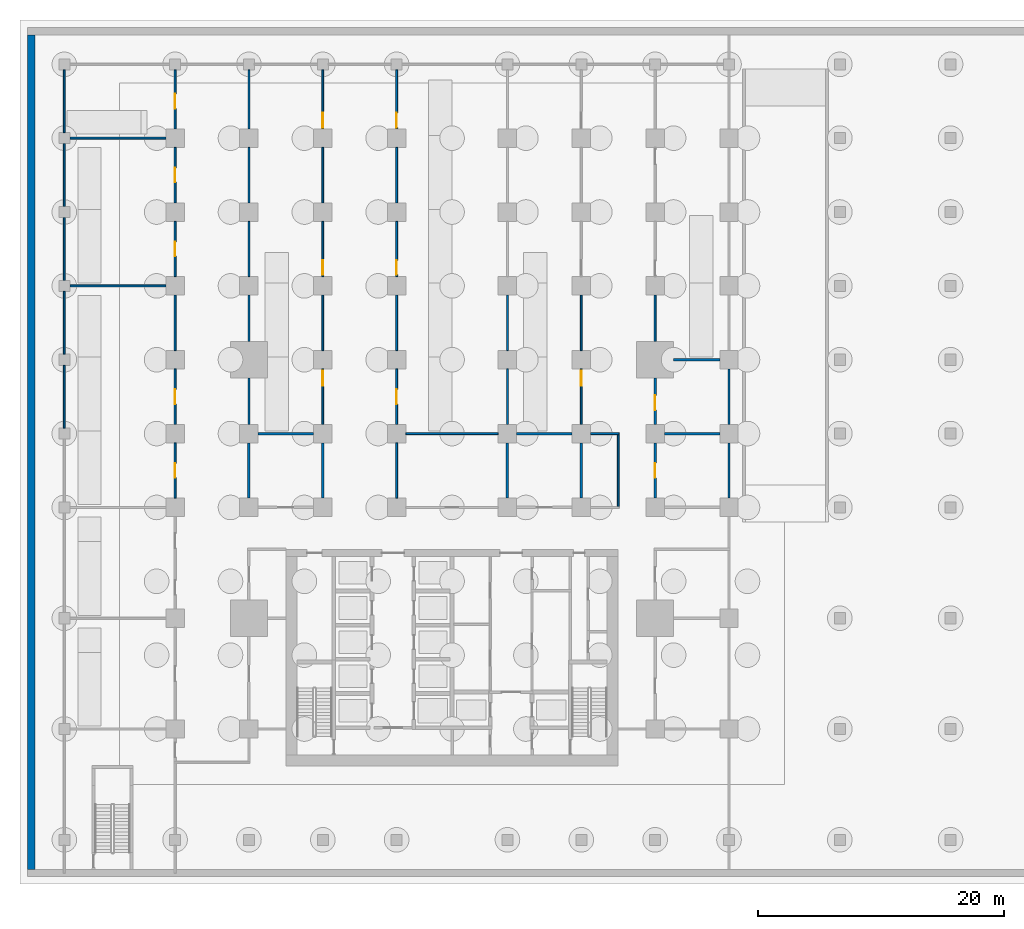
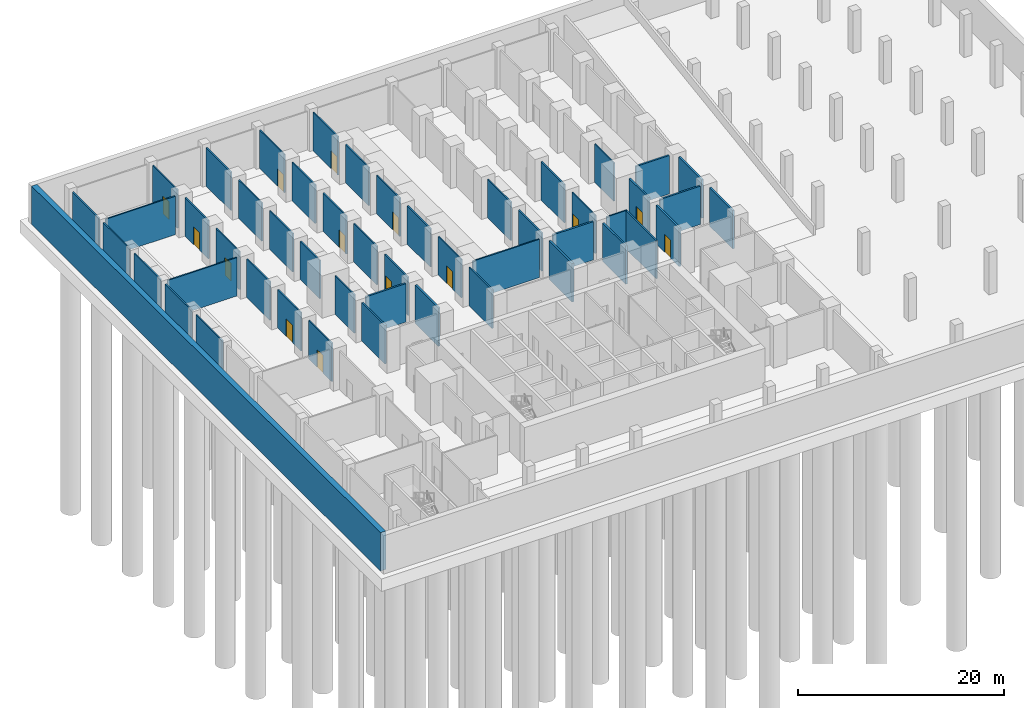
# One storey, part 8 of 12: 50 walls, 14 doors, 14 openings.
"""IFC4 building model written with IfcOpenShell, lengths in metres."""

import ifcopenshell
import ifcopenshell.guid

model = None  # the IFC model being written
_history = None  # IfcOwnerHistory: only IFC2X3 demands one
_inside = {}  # id of a spatial element -> (the spatial element, [elements in it])
_under = {}  # id of a project, library or spatial element -> (it, [spatial elements below it])
_declared = {}  # id of a project -> (the project, [libraries it declares])
_typed = {}  # id of a type object -> (the type object, [elements of that type])
_made_of = {}  # id of a material, layer set ... -> (it, [elements and type objects made of it])


def new_model(schema):
    """Start an empty IFC model of exactly this schema.

    Asked for "IFC4X3", IfcOpenShell would pick the latest addendum, in which some entities
    have other attributes; the version numbers below select the first issue.
    IFC2X3 requires an IfcOwnerHistory on every rooted entity: one is made here for all.
    """
    global model, _history
    if schema == "IFC4X3":
        model = ifcopenshell.file(schema_version=(4, 3, 0, 0))
    else:
        model = ifcopenshell.file(schema=schema)
    _inside.clear()
    _under.clear()
    _declared.clear()
    _typed.clear()
    _made_of.clear()
    _history = None
    if model.schema == "IFC2X3":
        org = make("IfcOrganization", Name="unknown")
        user = make(
            "IfcPersonAndOrganization",
            ThePerson=make("IfcPerson", FamilyName="unknown"),
            TheOrganization=org,
        )
        app = make(
            "IfcApplication",
            ApplicationDeveloper=org,
            Version="unknown",
            ApplicationFullName="unknown",
            ApplicationIdentifier="unknown",
        )
        _history = make(
            "IfcOwnerHistory",
            OwningUser=user,
            OwningApplication=app,
            ChangeAction="ADDED",
            CreationDate=0,
        )
    return model


def make(cls, **values):
    """One entity of the class cls with the attributes given. An attribute that is None is left unset."""
    return model.create_entity(
        cls, **{name: value for name, value in values.items() if value is not None}
    )


def rooted(cls, **values):
    """An entity with a GlobalId (a new one), such as an element, a storey or a relation."""
    return make(cls, GlobalId=ifcopenshell.guid.new(), OwnerHistory=_history, **values)


def si_unit(unit_type, name, prefix=None):
    """IfcSIUnit, for example si_unit("LENGTHUNIT", "METRE", prefix="MILLI")."""
    return make("IfcSIUnit", UnitType=unit_type, Prefix=prefix, Name=name)


def assignment(units):
    """IfcUnitAssignment: the units of a project."""
    return None if units is None else make("IfcUnitAssignment", Units=units)


def point(xyz):
    """IfcCartesianPoint."""
    return None if xyz is None else make("IfcCartesianPoint", Coordinates=xyz)


def direction(xyz):
    """IfcDirection."""
    return None if xyz is None else make("IfcDirection", DirectionRatios=xyz)


def frame(location, z_axis=None, x_axis=None):
    """IfcAxis2Placement3D, a coordinate frame: its origin and axes. An axis left out is left unset."""
    return make(
        "IfcAxis2Placement3D",
        Location=point(location),
        Axis=direction(z_axis),
        RefDirection=direction(x_axis),
    )


def frame_2d(location, x_axis=None):
    """IfcAxis2Placement2D, a coordinate frame in the plane: its origin and x axis."""
    return make(
        "IfcAxis2Placement2D", Location=point(location), RefDirection=direction(x_axis)
    )


def origin():
    """The frame at (0, 0, 0) with its axes left unset."""
    return frame((0.0, 0.0, 0.0))


def place(relative_to, where):
    """IfcLocalPlacement: puts the frame where relative to a parent placement (None: the world)."""
    return make(
        "IfcLocalPlacement", PlacementRelTo=relative_to, RelativePlacement=where
    )


def context(
    kind, dimensions, precision=None, world=None, true_north=None, identifier=None
):
    """IfcGeometricRepresentationContext, for example the 3D "Model" context."""
    return make(
        "IfcGeometricRepresentationContext",
        ContextIdentifier=identifier,
        ContextType=kind,
        CoordinateSpaceDimension=dimensions,
        Precision=precision,
        WorldCoordinateSystem=world,
        TrueNorth=true_north,
    )


def subcontext(parent, identifier, kind, view, scale=None):
    """IfcGeometricRepresentationSubContext, for example "Body" below "Model"."""
    return make(
        "IfcGeometricRepresentationSubContext",
        ContextIdentifier=identifier,
        ContextType=kind,
        ParentContext=parent,
        TargetScale=scale,
        TargetView=view,
    )


def project(units=None, contexts=None):
    """IfcProject with its units and contexts."""
    return rooted(
        "IfcProject",
        Name="project",
        RepresentationContexts=contexts,
        UnitsInContext=assignment(units),
    )


def spatial(cls, under=None, at=None, **own):
    """A site, building, storey or space (cls), placed at a placement, below another one or the project."""
    s = rooted(cls, ObjectPlacement=at, **own)
    if under is not None:
        _under.setdefault(under.id(), (under, []))[1].append(s)
    return s


def profile(cls, at=None, kind="AREA", **sizes):
    """A parametric profile (cls). Its sizes go by their IFC names, for example OverallWidth=200.0."""
    return make(cls, ProfileType=kind, Position=at, **sizes)


def rectangle(**sizes):
    """IfcRectangleProfileDef."""
    return profile("IfcRectangleProfileDef", **sizes)


def extrude(swept, where, along, depth):
    """IfcExtrudedAreaSolid: the profile swept, set in the frame where, extruded along a direction by depth."""
    return make(
        "IfcExtrudedAreaSolid",
        SweptArea=swept,
        Position=where,
        ExtrudedDirection=direction(along),
        Depth=depth,
    )


def shape(context_of_items, identifier, shape_type, items):
    """IfcShapeRepresentation: the items that make up one representation, for example the "Body"."""
    return make(
        "IfcShapeRepresentation",
        ContextOfItems=context_of_items,
        RepresentationIdentifier=identifier,
        RepresentationType=shape_type,
        Items=items,
    )


def material(Name=None, Category=None):
    """IfcMaterial."""
    return make("IfcMaterial", Name=Name, Category=Category)


def layer(
    of_material, thickness, ventilated=None, Name=None, Category=None, Priority=None
):
    """IfcMaterialLayer: one layer of a wall or slab, of a material (None: an air gap)."""
    return make(
        "IfcMaterialLayer",
        Material=of_material,
        LayerThickness=thickness,
        IsVentilated=ventilated,
        Name=Name,
        Category=Category,
        Priority=Priority,
    )


def layer_set(layers, Name=None):
    """IfcMaterialLayerSet."""
    return make("IfcMaterialLayerSet", MaterialLayers=layers, LayerSetName=Name)


def made_of(thing, what):
    """Note that an element or type object is made of a material, layer set ...; save() writes the relation."""
    if what is not None:
        _made_of.setdefault(what.id(), (what, []))[1].append(thing)
    return thing


def type_object(cls, material=None, **own):
    """A type object (cls), such as IfcWallType, which elements share."""
    return made_of(rooted(cls, **own), material)


def element(
    cls,
    number,
    at=None,
    inside=None,
    cuts=None,
    type_object=None,
    material=None,
    context=None,
    identifier="Body",
    shape_type=None,
    held_by="IfcProductDefinitionShape",
    body=None,
    shapes=None,
    **own,
):
    """One element of the class cls, such as IfcWall. Its Tag is "e" and its number.

    at: its placement. inside: the storey or other place that contains it. cuts: it is an
    opening in that element (IfcRelVoidsElement). A single representation is given by context,
    identifier, shape_type and body (its items); several are given by shapes. held_by: the class
    of the entity that holds the representations. save() writes the other relations.
    """
    e = rooted(cls, Tag="e%d" % number, ObjectPlacement=at, **own)
    if body is not None:
        shapes = [shape(context, identifier, shape_type, body)]
    if shapes is not None:
        e.Representation = make(held_by, Representations=shapes)
    if inside is not None:
        _inside.setdefault(inside.id(), (inside, []))[1].append(e)
    if cuts is not None:
        rooted(
            "IfcRelVoidsElement", RelatingBuildingElement=cuts, RelatedOpeningElement=e
        )
    if type_object is not None:
        _typed.setdefault(type_object.id(), (type_object, []))[1].append(e)
    return made_of(e, material)


def fill(opening, filler):
    """IfcRelFillsElement: the door or window that sits in an opening."""
    return rooted(
        "IfcRelFillsElement",
        RelatingOpeningElement=opening,
        RelatedBuildingElement=filler,
    )


def aggregate(whole, parts):
    """IfcRelAggregates: a whole, such as a stair, and the parts it consists of."""
    return rooted("IfcRelAggregates", RelatingObject=whole, RelatedObjects=parts)


def save(model, path):
    """Write the relations noted so far, then the file.

    IfcRelAggregates (storeys below a building ...), IfcRelContainedInSpatialStructure (elements
    in a storey), IfcRelDefinesByType, IfcRelAssociatesMaterial and IfcRelDeclares: one each for
    every whole, place, type object, material and project.
    """
    for whole, parts in _under.values():
        aggregate(whole, parts)
    for where, things in _inside.values():
        rooted(
            "IfcRelContainedInSpatialStructure",
            RelatedElements=things,
            RelatingStructure=where,
        )
    for kind, things in _typed.values():
        rooted("IfcRelDefinesByType", RelatedObjects=things, RelatingType=kind)
    for what, things in _made_of.values():
        rooted("IfcRelAssociatesMaterial", RelatedObjects=things, RelatingMaterial=what)
    for by, libraries in _declared.values():
        rooted("IfcRelDeclares", RelatingContext=by, RelatedDefinitions=libraries)
    model.write(path)


model = new_model("IFC4")

# Units and contexts
model_context = context("Model", 3, precision=1e-05, world=origin(), true_north=direction((0.0, 1.0)))
body_context = subcontext(model_context, "Body", "Model", "MODEL_VIEW")
ifc_project = project(units=[si_unit("LENGTHUNIT", "METRE"), si_unit("AREAUNIT", "SQUARE_METRE"), si_unit("VOLUMEUNIT", "CUBIC_METRE"), si_unit("PLANEANGLEUNIT", "RADIAN"), si_unit("MASSUNIT", "GRAM", prefix="KILO")], contexts=[model_context])

# Site, building, storey
site_placement = place(None, origin())
site = spatial("IfcSite", under=ifc_project, at=site_placement, CompositionType="ELEMENT")
building_placement = place(site_placement, origin())
building = spatial("IfcBuilding", under=site, at=building_placement, Name="Finial Court Residences", CompositionType="ELEMENT")
storey_placement = place(building_placement, frame((0.0, 0.0, -5.0)))
storey = spatial("IfcBuildingStorey", under=building, at=storey_placement, Name="B1", CompositionType="ELEMENT", Elevation=-5.0)

# Walls
ifc_material_1 = material(Name="Concrete C25/30", Category="concrete")
ifc_layer_1 = layer(ifc_material_1, 0.14990234375)
ifc_layer_set_1 = layer_set([ifc_layer_1], Name="Basement partition 150 Concrete C25/30")
wall_type_1 = type_object("IfcWallType", Name="Basement partition 150 Concrete C25/30", PredefinedType="PARTITIONING", material=ifc_layer_set_1)
wall_1_placement = place(storey_placement, frame((-3.75, 1.5, 0.0), z_axis=(0.0, 0.0, 1.0), x_axis=(1.0, 0.0, 0.0)))
element("IfcWall", 1, at=wall_1_placement, inside=storey, type_object=wall_type_1, Name="Basement partition B1-V018", PredefinedType="PARTITIONING", context=body_context, shape_type="SweptSolid", body=[
    extrude(rectangle(XDim=7.5, YDim=0.14990234375, at=frame_2d((3.75, 0.0))), origin(), (0.0, 0.0, 1.0), 4.550048828125),
])
wall_2_placement = place(storey_placement, frame((11.25, 1.5, 0.0), z_axis=(0.0, 0.0, 1.0), x_axis=(1.0, 0.0, 0.0)))
element("IfcWall", 2, at=wall_2_placement, inside=storey, type_object=wall_type_1, Name="Basement partition B1-V020", PredefinedType="PARTITIONING", context=body_context, shape_type="SweptSolid", body=[
    extrude(rectangle(XDim=2.324951171875, YDim=0.14990234375, at=frame_2d((1.16259765625, 0.0))), origin(), (0.0, 0.0, 1.0), 4.550048828125),
])
for number, where, z_axis, x_axis, name in (
    (3, (-31.050048828125, 13.5, 0.0), (0.0, 0.0, 1.0), (1.0, 0.0, 0.0), "Basement partition B1-V023"),
    (4, (-31.050048828125, 25.5, 0.0), (0.0, 0.0, 1.0), (1.0, 0.0, 0.0), "Basement partition B1-V024"),
):
    element("IfcWall", number, at=place(storey_placement, frame(where, z_axis=z_axis, x_axis=x_axis)), inside=storey, type_object=wall_type_1, Name=name, PredefinedType="PARTITIONING", context=body_context, shape_type="SweptSolid", body=[
        extrude(rectangle(XDim=7.800048828125, YDim=0.14990234375, at=frame_2d((3.89990234375, 0.0))), origin(), (0.0, 0.0, 1.0), 4.550048828125),
    ])
for number, where, z_axis, x_axis, name in (
    (5, (-31.5, 1.949951171875, 0.0), (0.0, 0.0, 1.0), (0.0, 1.0, 0.0), "Basement partition B1-V038"),
    (6, (-31.5, 7.949951171875, 0.0), (0.0, 0.0, 1.0), (0.0, 1.0, 0.0), "Basement partition B1-V039"),
    (7, (-31.5, 13.949951171875, 0.0), (0.0, 0.0, 1.0), (0.0, 1.0, 0.0), "Basement partition B1-V040"),
    (8, (-31.5, 19.949951171875, 0.0), (0.0, 0.0, 1.0), (0.0, 1.0, 0.0), "Basement partition B1-V041"),
    (9, (-31.5, 25.949951171875, 0.0), (0.0, 0.0, 1.0), (0.0, 1.0, 0.0), "Basement partition B1-V042"),
):
    element("IfcWall", number, at=place(storey_placement, frame(where, z_axis=z_axis, x_axis=x_axis)), inside=storey, type_object=wall_type_1, Name=name, PredefinedType="PARTITIONING", context=body_context, shape_type="SweptSolid", body=[
        extrude(rectangle(XDim=5.10009765625, YDim=0.14990234375, at=frame_2d((2.550048828125, 0.0))), origin(), (0.0, 0.0, 1.0), 4.550048828125),
    ])

# Wall, opening, door
wall_3_placement = place(storey_placement, frame((-22.5, 0.75, 0.0), z_axis=(0.0, 0.0, 1.0), x_axis=(0.0, -1.0, 0.0)))
wall_3 = element("IfcWall", 10, at=wall_3_placement, inside=storey, type_object=wall_type_1, Name="Basement partition B1-V048", PredefinedType="PARTITIONING", context=body_context, shape_type="SweptSolid", body=[
    extrude(rectangle(XDim=4.5, YDim=0.14990234375, at=frame_2d((2.25, 0.0))), origin(), (0.0, 0.0, 1.0), 4.550048828125),
])
opening_1_placement = place(wall_3_placement, frame((1.64990234375, 0.0, 0.0)))
opening_1 = element("IfcOpeningElement", 11, at=opening_1_placement, cuts=wall_3, Name="Opening B1-V04", PredefinedType="OPENING", context=body_context, shape_type="SweptSolid", body=[
    extrude(rectangle(XDim=1.199951171875, YDim=2.10009765625, at=frame_2d((0.60009765625, 1.050048828125))), frame((0.0, 0.0849609375, 0.0), z_axis=(0.0, -1.0, 0.0), x_axis=(1.0, 0.0, 0.0)), (0.0, 0.0, 1.0), 0.169921875),
])
ifc_material_2 = material(Name="Steel fire door", Category="steel")
door_type_1 = type_object("IfcDoorType", Name="Bicycle store door 1200 x 2100 EI 60", OperationType="NOTDEFINED", PredefinedType="DOOR", material=ifc_material_2)
door_1_placement = place(opening_1_placement, origin())
door_1 = element("IfcDoor", 12, at=door_1_placement, inside=storey, type_object=door_type_1, Name="Bicycle store door B1-V04", OperationType="SINGLE_SWING_RIGHT", OverallHeight=2.10009765625, OverallWidth=1.199951171875, PredefinedType="DOOR", context=body_context, shape_type="SweptSolid", body=[
    extrude(rectangle(XDim=1.199951171875, YDim=2.10009765625, at=frame_2d((0.60009765625, 1.050048828125))), frame((0.0, 0.02490234375, 0.0), z_axis=(0.0, -1.0, 0.0), x_axis=(1.0, 0.0, 0.0)), (0.0, 0.0, 1.0), 0.050048828125),
])
fill(opening_1, door_1)

wall_4_placement = place(storey_placement, frame((-22.5, 6.75, 0.0), z_axis=(0.0, 0.0, 1.0), x_axis=(0.0, -1.0, 0.0)))
wall_4 = element("IfcWall", 13, at=wall_4_placement, inside=storey, type_object=wall_type_1, Name="Basement partition B1-V049", PredefinedType="PARTITIONING", context=body_context, shape_type="SweptSolid", body=[
    extrude(rectangle(XDim=4.5, YDim=0.14990234375, at=frame_2d((2.25, 0.0))), origin(), (0.0, 0.0, 1.0), 4.550048828125),
])
opening_2_placement = place(wall_4_placement, frame((1.64990234375, 0.0, 0.0)))
opening_2 = element("IfcOpeningElement", 14, at=opening_2_placement, cuts=wall_4, Name="Opening B1-V05", PredefinedType="OPENING", context=body_context, shape_type="SweptSolid", body=[
    extrude(rectangle(XDim=1.199951171875, YDim=2.10009765625, at=frame_2d((0.60009765625, 1.050048828125))), frame((0.0, 0.0849609375, 0.0), z_axis=(0.0, -1.0, 0.0), x_axis=(1.0, 0.0, 0.0)), (0.0, 0.0, 1.0), 0.169921875),
])
door_2_placement = place(opening_2_placement, origin())
door_2 = element("IfcDoor", 15, at=door_2_placement, inside=storey, type_object=door_type_1, Name="Bicycle store door B1-V05", OperationType="SINGLE_SWING_LEFT", OverallHeight=2.10009765625, OverallWidth=1.199951171875, PredefinedType="DOOR", context=body_context, shape_type="SweptSolid", body=[
    extrude(rectangle(XDim=1.199951171875, YDim=2.10009765625, at=frame_2d((0.60009765625, 1.050048828125))), frame((0.0, 0.02490234375, 0.0), z_axis=(0.0, -1.0, 0.0), x_axis=(1.0, 0.0, 0.0)), (0.0, 0.0, 1.0), 0.050048828125),
])
fill(opening_2, door_2)

# Wall
wall_5_placement = place(storey_placement, frame((-22.5, 8.25, 0.0), z_axis=(0.0, 0.0, 1.0), x_axis=(0.0, 1.0, 0.0)))
element("IfcWall", 16, at=wall_5_placement, inside=storey, type_object=wall_type_1, Name="Basement partition B1-V050", PredefinedType="PARTITIONING", context=body_context, shape_type="SweptSolid", body=[
    extrude(rectangle(XDim=4.5, YDim=0.14990234375, at=frame_2d((2.25, 0.0))), origin(), (0.0, 0.0, 1.0), 4.550048828125),
])

# Wall, opening, door
wall_6_placement = place(storey_placement, frame((-22.5, 18.75, 0.0), z_axis=(0.0, 0.0, 1.0), x_axis=(0.0, -1.0, 0.0)))
wall_6 = element("IfcWall", 17, at=wall_6_placement, inside=storey, type_object=wall_type_1, Name="Basement partition B1-V051", PredefinedType="PARTITIONING", context=body_context, shape_type="SweptSolid", body=[
    extrude(rectangle(XDim=4.5, YDim=0.14990234375, at=frame_2d((2.25, 0.0))), origin(), (0.0, 0.0, 1.0), 4.550048828125),
])
opening_3_placement = place(wall_6_placement, frame((1.64990234375, 0.0, 0.0)))
opening_3 = element("IfcOpeningElement", 18, at=opening_3_placement, cuts=wall_6, Name="Opening B1-V06", PredefinedType="OPENING", context=body_context, shape_type="SweptSolid", body=[
    extrude(rectangle(XDim=1.199951171875, YDim=2.10009765625, at=frame_2d((0.60009765625, 1.050048828125))), frame((0.0, 0.0849609375, 0.0), z_axis=(0.0, -1.0, 0.0), x_axis=(1.0, 0.0, 0.0)), (0.0, 0.0, 1.0), 0.169921875),
])
door_3_placement = place(opening_3_placement, origin())
door_3 = element("IfcDoor", 19, at=door_3_placement, inside=storey, type_object=door_type_1, Name="Bicycle store door B1-V06", OperationType="SINGLE_SWING_LEFT", OverallHeight=2.10009765625, OverallWidth=1.199951171875, PredefinedType="DOOR", context=body_context, shape_type="SweptSolid", body=[
    extrude(rectangle(XDim=1.199951171875, YDim=2.10009765625, at=frame_2d((0.60009765625, 1.050048828125))), frame((0.0, 0.02490234375, 0.0), z_axis=(0.0, -1.0, 0.0), x_axis=(1.0, 0.0, 0.0)), (0.0, 0.0, 1.0), 0.050048828125),
])
fill(opening_3, door_3)

wall_7_placement = place(storey_placement, frame((-22.5, 24.75, 0.0), z_axis=(0.0, 0.0, 1.0), x_axis=(0.0, -1.0, 0.0)))
wall_7 = element("IfcWall", 20, at=wall_7_placement, inside=storey, type_object=wall_type_1, Name="Basement partition B1-V052", PredefinedType="PARTITIONING", context=body_context, shape_type="SweptSolid", body=[
    extrude(rectangle(XDim=4.5, YDim=0.14990234375, at=frame_2d((2.25, 0.0))), origin(), (0.0, 0.0, 1.0), 4.550048828125),
])
opening_4_placement = place(wall_7_placement, frame((1.64990234375, 0.0, 0.0)))
opening_4 = element("IfcOpeningElement", 21, at=opening_4_placement, cuts=wall_7, Name="Opening B1-V07", PredefinedType="OPENING", context=body_context, shape_type="SweptSolid", body=[
    extrude(rectangle(XDim=1.199951171875, YDim=2.10009765625, at=frame_2d((0.60009765625, 1.050048828125))), frame((0.0, 0.0849609375, 0.0), z_axis=(0.0, -1.0, 0.0), x_axis=(1.0, 0.0, 0.0)), (0.0, 0.0, 1.0), 0.169921875),
])
door_4_placement = place(opening_4_placement, origin())
door_4 = element("IfcDoor", 22, at=door_4_placement, inside=storey, type_object=door_type_1, Name="Bicycle store door B1-V07", OperationType="SINGLE_SWING_LEFT", OverallHeight=2.10009765625, OverallWidth=1.199951171875, PredefinedType="DOOR", context=body_context, shape_type="SweptSolid", body=[
    extrude(rectangle(XDim=1.199951171875, YDim=2.10009765625, at=frame_2d((0.60009765625, 1.050048828125))), frame((0.0, 0.02490234375, 0.0), z_axis=(0.0, -1.0, 0.0), x_axis=(1.0, 0.0, 0.0)), (0.0, 0.0, 1.0), 0.050048828125),
])
fill(opening_4, door_4)

wall_8_placement = place(storey_placement, frame((-22.5, 31.050048828125, 0.0), z_axis=(0.0, 0.0, 1.0), x_axis=(0.0, -1.0, 0.0)))
wall_8 = element("IfcWall", 23, at=wall_8_placement, inside=storey, type_object=wall_type_1, Name="Basement partition B1-V053", PredefinedType="PARTITIONING", context=body_context, shape_type="SweptSolid", body=[
    extrude(rectangle(XDim=4.800048828125, YDim=0.14990234375, at=frame_2d((2.39990234375, 0.0))), origin(), (0.0, 0.0, 1.0), 4.550048828125),
])
opening_5_placement = place(wall_8_placement, frame((1.949951171875, 0.0, 0.0)))
opening_5 = element("IfcOpeningElement", 24, at=opening_5_placement, cuts=wall_8, Name="Opening B1-V08", PredefinedType="OPENING", context=body_context, shape_type="SweptSolid", body=[
    extrude(rectangle(XDim=1.199951171875, YDim=2.10009765625, at=frame_2d((0.60009765625, 1.050048828125))), frame((0.0, 0.0849609375, 0.0), z_axis=(0.0, -1.0, 0.0), x_axis=(1.0, 0.0, 0.0)), (0.0, 0.0, 1.0), 0.169921875),
])
door_5_placement = place(opening_5_placement, origin())
door_5 = element("IfcDoor", 25, at=door_5_placement, inside=storey, type_object=door_type_1, Name="Bicycle store door B1-V08", OperationType="SINGLE_SWING_LEFT", OverallHeight=2.10009765625, OverallWidth=1.199951171875, PredefinedType="DOOR", context=body_context, shape_type="SweptSolid", body=[
    extrude(rectangle(XDim=1.199951171875, YDim=2.10009765625, at=frame_2d((0.60009765625, 1.050048828125))), frame((0.0, 0.02490234375, 0.0), z_axis=(0.0, -1.0, 0.0), x_axis=(1.0, 0.0, 0.0)), (0.0, 0.0, 1.0), 0.050048828125),
])
fill(opening_5, door_5)

# Walls
for number, where, z_axis, x_axis, name in (
    (26, (-16.5, 2.25, 0.0), (0.0, 0.0, 1.0), (0.0, 1.0, 0.0), "Basement partition B1-V058"),
    (27, (-16.5, 9.0, 0.0), (0.0, 0.0, 1.0), (0.0, 1.0, 0.0), "Basement partition B1-V059"),
):
    element("IfcWall", number, at=place(storey_placement, frame(where, z_axis=z_axis, x_axis=x_axis)), inside=storey, type_object=wall_type_1, Name=name, PredefinedType="PARTITIONING", context=body_context, shape_type="SweptSolid", body=[
        extrude(rectangle(XDim=3.75, YDim=0.14990234375, at=frame_2d((1.875, 0.0))), origin(), (0.0, 0.0, 1.0), 4.550048828125),
    ])
for number, where, z_axis, x_axis, name in (
    (28, (-16.5, 14.25, 0.0), (0.0, 0.0, 1.0), (0.0, 1.0, 0.0), "Basement partition B1-V060"),
    (29, (-16.5, 20.25, 0.0), (0.0, 0.0, 1.0), (0.0, 1.0, 0.0), "Basement partition B1-V061"),
):
    element("IfcWall", number, at=place(storey_placement, frame(where, z_axis=z_axis, x_axis=x_axis)), inside=storey, type_object=wall_type_1, Name=name, PredefinedType="PARTITIONING", context=body_context, shape_type="SweptSolid", body=[
        extrude(rectangle(XDim=4.5, YDim=0.14990234375, at=frame_2d((2.25, 0.0))), origin(), (0.0, 0.0, 1.0), 4.550048828125),
    ])
wall_9_placement = place(storey_placement, frame((-16.5, 26.25, 0.0), z_axis=(0.0, 0.0, 1.0), x_axis=(0.0, 1.0, 0.0)))
element("IfcWall", 30, at=wall_9_placement, inside=storey, type_object=wall_type_1, Name="Basement partition B1-V062", PredefinedType="PARTITIONING", context=body_context, shape_type="SweptSolid", body=[
    extrude(rectangle(XDim=4.800048828125, YDim=0.14990234375, at=frame_2d((2.39990234375, 0.0))), origin(), (0.0, 0.0, 1.0), 4.550048828125),
])

# Wall, opening, door
wall_10_placement = place(storey_placement, frame((-10.5, 6.75, 0.0), z_axis=(0.0, 0.0, 1.0), x_axis=(0.0, -1.0, 0.0)))
wall_10 = element("IfcWall", 31, at=wall_10_placement, inside=storey, type_object=wall_type_1, Name="Basement partition B1-V064", PredefinedType="PARTITIONING", context=body_context, shape_type="SweptSolid", body=[
    extrude(rectangle(XDim=4.5, YDim=0.14990234375, at=frame_2d((2.25, 0.0))), origin(), (0.0, 0.0, 1.0), 4.550048828125),
])
opening_6_placement = place(wall_10_placement, frame((0.14990234375, 0.0, 0.0)))
opening_6 = element("IfcOpeningElement", 32, at=opening_6_placement, cuts=wall_10, Name="Opening B1-V09", PredefinedType="OPENING", context=body_context, shape_type="SweptSolid", body=[
    extrude(rectangle(XDim=1.199951171875, YDim=2.10009765625, at=frame_2d((0.60009765625, 1.050048828125))), frame((0.0, 0.0849609375, 0.0), z_axis=(0.0, -1.0, 0.0), x_axis=(1.0, 0.0, 0.0)), (0.0, 0.0, 1.0), 0.169921875),
])
door_6_placement = place(opening_6_placement, origin())
door_6 = element("IfcDoor", 33, at=door_6_placement, inside=storey, type_object=door_type_1, Name="Bicycle store door B1-V09", OperationType="SINGLE_SWING_LEFT", OverallHeight=2.10009765625, OverallWidth=1.199951171875, PredefinedType="DOOR", context=body_context, shape_type="SweptSolid", body=[
    extrude(rectangle(XDim=1.199951171875, YDim=2.10009765625, at=frame_2d((0.60009765625, 1.050048828125))), frame((0.0, 0.02490234375, 0.0), z_axis=(0.0, -1.0, 0.0), x_axis=(1.0, 0.0, 0.0)), (0.0, 0.0, 1.0), 0.050048828125),
])
fill(opening_6, door_6)

# Wall
wall_11_placement = place(storey_placement, frame((-10.5, 8.25, 0.0), z_axis=(0.0, 0.0, 1.0), x_axis=(0.0, 1.0, 0.0)))
element("IfcWall", 34, at=wall_11_placement, inside=storey, type_object=wall_type_1, Name="Basement partition B1-V065", PredefinedType="PARTITIONING", context=body_context, shape_type="SweptSolid", body=[
    extrude(rectangle(XDim=4.5, YDim=0.14990234375, at=frame_2d((2.25, 0.0))), origin(), (0.0, 0.0, 1.0), 4.550048828125),
])

# Wall, opening, door
wall_12_placement = place(storey_placement, frame((-10.5, 18.75, 0.0), z_axis=(0.0, 0.0, 1.0), x_axis=(0.0, -1.0, 0.0)))
wall_12 = element("IfcWall", 35, at=wall_12_placement, inside=storey, type_object=wall_type_1, Name="Basement partition B1-V066", PredefinedType="PARTITIONING", context=body_context, shape_type="SweptSolid", body=[
    extrude(rectangle(XDim=4.5, YDim=0.14990234375, at=frame_2d((2.25, 0.0))), origin(), (0.0, 0.0, 1.0), 4.550048828125),
])
opening_7_placement = place(wall_12_placement, frame((3.14990234375, 0.0, 0.0)))
opening_7 = element("IfcOpeningElement", 36, at=opening_7_placement, cuts=wall_12, Name="Opening B1-V10", PredefinedType="OPENING", context=body_context, shape_type="SweptSolid", body=[
    extrude(rectangle(XDim=1.199951171875, YDim=2.10009765625, at=frame_2d((0.60009765625, 1.050048828125))), frame((0.0, 0.0849609375, 0.0), z_axis=(0.0, -1.0, 0.0), x_axis=(1.0, 0.0, 0.0)), (0.0, 0.0, 1.0), 0.169921875),
])
door_7_placement = place(opening_7_placement, origin())
door_7 = element("IfcDoor", 37, at=door_7_placement, inside=storey, type_object=door_type_1, Name="Bicycle store door B1-V10", OperationType="SINGLE_SWING_LEFT", OverallHeight=2.10009765625, OverallWidth=1.199951171875, PredefinedType="DOOR", context=body_context, shape_type="SweptSolid", body=[
    extrude(rectangle(XDim=1.199951171875, YDim=2.10009765625, at=frame_2d((0.60009765625, 1.050048828125))), frame((0.0, 0.02490234375, 0.0), z_axis=(0.0, -1.0, 0.0), x_axis=(1.0, 0.0, 0.0)), (0.0, 0.0, 1.0), 0.050048828125),
])
fill(opening_7, door_7)

# Wall
wall_13_placement = place(storey_placement, frame((-10.5, 20.25, 0.0), z_axis=(0.0, 0.0, 1.0), x_axis=(0.0, 1.0, 0.0)))
element("IfcWall", 38, at=wall_13_placement, inside=storey, type_object=wall_type_1, Name="Basement partition B1-V067", PredefinedType="PARTITIONING", context=body_context, shape_type="SweptSolid", body=[
    extrude(rectangle(XDim=4.5, YDim=0.14990234375, at=frame_2d((2.25, 0.0))), origin(), (0.0, 0.0, 1.0), 4.550048828125),
])

# Wall, opening, door
wall_14_placement = place(storey_placement, frame((-10.5, 31.050048828125, 0.0), z_axis=(0.0, 0.0, 1.0), x_axis=(0.0, -1.0, 0.0)))
wall_14 = element("IfcWall", 39, at=wall_14_placement, inside=storey, type_object=wall_type_1, Name="Basement partition B1-V068", PredefinedType="PARTITIONING", context=body_context, shape_type="SweptSolid", body=[
    extrude(rectangle(XDim=4.800048828125, YDim=0.14990234375, at=frame_2d((2.39990234375, 0.0))), origin(), (0.0, 0.0, 1.0), 4.550048828125),
])
opening_8_placement = place(wall_14_placement, frame((3.5, 0.0, 0.0)))
opening_8 = element("IfcOpeningElement", 40, at=opening_8_placement, cuts=wall_14, Name="Opening B1-V11", PredefinedType="OPENING", context=body_context, shape_type="SweptSolid", body=[
    extrude(rectangle(XDim=1.199951171875, YDim=2.10009765625, at=frame_2d((0.60009765625, 1.050048828125))), frame((0.0, 0.0849609375, 0.0), z_axis=(0.0, -1.0, 0.0), x_axis=(1.0, 0.0, 0.0)), (0.0, 0.0, 1.0), 0.169921875),
])
door_8_placement = place(opening_8_placement, origin())
door_8 = element("IfcDoor", 41, at=door_8_placement, inside=storey, type_object=door_type_1, Name="Bicycle store door B1-V11", OperationType="SINGLE_SWING_LEFT", OverallHeight=2.10009765625, OverallWidth=1.199951171875, PredefinedType="DOOR", context=body_context, shape_type="SweptSolid", body=[
    extrude(rectangle(XDim=1.199951171875, YDim=2.10009765625, at=frame_2d((0.60009765625, 1.050048828125))), frame((0.0, 0.02490234375, 0.0), z_axis=(0.0, -1.0, 0.0), x_axis=(1.0, 0.0, 0.0)), (0.0, 0.0, 1.0), 0.050048828125),
])
fill(opening_8, door_8)

# Wall
wall_15_placement = place(storey_placement, frame((-4.5, -3.75, 0.0), z_axis=(0.0, 0.0, 1.0), x_axis=(0.0, 1.0, 0.0)))
element("IfcWall", 42, at=wall_15_placement, inside=storey, type_object=wall_type_1, Name="Basement partition B1-V069", PredefinedType="PARTITIONING", context=body_context, shape_type="SweptSolid", body=[
    extrude(rectangle(XDim=4.5, YDim=0.14990234375, at=frame_2d((2.25, 0.0))), origin(), (0.0, 0.0, 1.0), 4.550048828125),
])

# Wall, opening, door
wall_16_placement = place(storey_placement, frame((-4.5, 2.25, 0.0), z_axis=(0.0, 0.0, 1.0), x_axis=(0.0, 1.0, 0.0)))
wall_16 = element("IfcWall", 43, at=wall_16_placement, inside=storey, type_object=wall_type_1, Name="Basement partition B1-V070", PredefinedType="PARTITIONING", context=body_context, shape_type="SweptSolid", body=[
    extrude(rectangle(XDim=4.5, YDim=0.14990234375, at=frame_2d((2.25, 0.0))), origin(), (0.0, 0.0, 1.0), 4.550048828125),
])
opening_9_placement = place(wall_16_placement, frame((1.64990234375, 0.0, 0.0)))
opening_9 = element("IfcOpeningElement", 44, at=opening_9_placement, cuts=wall_16, Name="Opening B1-V12", PredefinedType="OPENING", context=body_context, shape_type="SweptSolid", body=[
    extrude(rectangle(XDim=1.199951171875, YDim=2.10009765625, at=frame_2d((0.60009765625, 1.050048828125))), frame((0.0, 0.0849609375, 0.0), z_axis=(0.0, -1.0, 0.0), x_axis=(1.0, 0.0, 0.0)), (0.0, 0.0, 1.0), 0.169921875),
])
door_9_placement = place(opening_9_placement, origin())
door_9 = element("IfcDoor", 45, at=door_9_placement, inside=storey, type_object=door_type_1, Name="Bicycle store door B1-V12", OperationType="SINGLE_SWING_RIGHT", OverallHeight=2.10009765625, OverallWidth=1.199951171875, PredefinedType="DOOR", context=body_context, shape_type="SweptSolid", body=[
    extrude(rectangle(XDim=1.199951171875, YDim=2.10009765625, at=frame_2d((0.60009765625, 1.050048828125))), frame((0.0, 0.02490234375, 0.0), z_axis=(0.0, -1.0, 0.0), x_axis=(1.0, 0.0, 0.0)), (0.0, 0.0, 1.0), 0.050048828125),
])
fill(opening_9, door_9)

# Wall
wall_17_placement = place(storey_placement, frame((-4.5, 8.25, 0.0), z_axis=(0.0, 0.0, 1.0), x_axis=(0.0, 1.0, 0.0)))
element("IfcWall", 46, at=wall_17_placement, inside=storey, type_object=wall_type_1, Name="Basement partition B1-V071", PredefinedType="PARTITIONING", context=body_context, shape_type="SweptSolid", body=[
    extrude(rectangle(XDim=4.5, YDim=0.14990234375, at=frame_2d((2.25, 0.0))), origin(), (0.0, 0.0, 1.0), 4.550048828125),
])

# Wall, opening, door
wall_18_placement = place(storey_placement, frame((-4.5, 14.25, 0.0), z_axis=(0.0, 0.0, 1.0), x_axis=(0.0, 1.0, 0.0)))
wall_18 = element("IfcWall", 47, at=wall_18_placement, inside=storey, type_object=wall_type_1, Name="Basement partition B1-V072", PredefinedType="PARTITIONING", context=body_context, shape_type="SweptSolid", body=[
    extrude(rectangle(XDim=4.5, YDim=0.14990234375, at=frame_2d((2.25, 0.0))), origin(), (0.0, 0.0, 1.0), 4.550048828125),
])
opening_10_placement = place(wall_18_placement, frame((0.14990234375, 0.0, 0.0)))
opening_10 = element("IfcOpeningElement", 48, at=opening_10_placement, cuts=wall_18, Name="Opening B1-V13", PredefinedType="OPENING", context=body_context, shape_type="SweptSolid", body=[
    extrude(rectangle(XDim=1.199951171875, YDim=2.10009765625, at=frame_2d((0.60009765625, 1.050048828125))), frame((0.0, 0.0849609375, 0.0), z_axis=(0.0, -1.0, 0.0), x_axis=(1.0, 0.0, 0.0)), (0.0, 0.0, 1.0), 0.169921875),
])
door_10_placement = place(opening_10_placement, origin())
door_10 = element("IfcDoor", 49, at=door_10_placement, inside=storey, type_object=door_type_1, Name="Bicycle store door B1-V13", OperationType="SINGLE_SWING_RIGHT", OverallHeight=2.10009765625, OverallWidth=1.199951171875, PredefinedType="DOOR", context=body_context, shape_type="SweptSolid", body=[
    extrude(rectangle(XDim=1.199951171875, YDim=2.10009765625, at=frame_2d((0.60009765625, 1.050048828125))), frame((0.0, 0.02490234375, 0.0), z_axis=(0.0, -1.0, 0.0), x_axis=(1.0, 0.0, 0.0)), (0.0, 0.0, 1.0), 0.050048828125),
])
fill(opening_10, door_10)

# Wall
wall_19_placement = place(storey_placement, frame((-4.5, 20.25, 0.0), z_axis=(0.0, 0.0, 1.0), x_axis=(0.0, 1.0, 0.0)))
element("IfcWall", 50, at=wall_19_placement, inside=storey, type_object=wall_type_1, Name="Basement partition B1-V073", PredefinedType="PARTITIONING", context=body_context, shape_type="SweptSolid", body=[
    extrude(rectangle(XDim=4.5, YDim=0.14990234375, at=frame_2d((2.25, 0.0))), origin(), (0.0, 0.0, 1.0), 4.550048828125),
])

# Wall, opening, door
wall_20_placement = place(storey_placement, frame((-4.5, 26.25, 0.0), z_axis=(0.0, 0.0, 1.0), x_axis=(0.0, 1.0, 0.0)))
wall_20 = element("IfcWall", 51, at=wall_20_placement, inside=storey, type_object=wall_type_1, Name="Basement partition B1-V074", PredefinedType="PARTITIONING", context=body_context, shape_type="SweptSolid", body=[
    extrude(rectangle(XDim=4.800048828125, YDim=0.14990234375, at=frame_2d((2.39990234375, 0.0))), origin(), (0.0, 0.0, 1.0), 4.550048828125),
])
opening_11_placement = place(wall_20_placement, frame((0.10009765625, 0.0, 0.0)))
opening_11 = element("IfcOpeningElement", 52, at=opening_11_placement, cuts=wall_20, Name="Opening B1-V14", PredefinedType="OPENING", context=body_context, shape_type="SweptSolid", body=[
    extrude(rectangle(XDim=1.199951171875, YDim=2.10009765625, at=frame_2d((0.60009765625, 1.050048828125))), frame((0.0, 0.0849609375, 0.0), z_axis=(0.0, -1.0, 0.0), x_axis=(1.0, 0.0, 0.0)), (0.0, 0.0, 1.0), 0.169921875),
])
door_11_placement = place(opening_11_placement, origin())
door_11 = element("IfcDoor", 53, at=door_11_placement, inside=storey, type_object=door_type_1, Name="Bicycle store door B1-V14", OperationType="SINGLE_SWING_RIGHT", OverallHeight=2.10009765625, OverallWidth=1.199951171875, PredefinedType="DOOR", context=body_context, shape_type="SweptSolid", body=[
    extrude(rectangle(XDim=1.199951171875, YDim=2.10009765625, at=frame_2d((0.60009765625, 1.050048828125))), frame((0.0, 0.02490234375, 0.0), z_axis=(0.0, -1.0, 0.0), x_axis=(1.0, 0.0, 0.0)), (0.0, 0.0, 1.0), 0.050048828125),
])
fill(opening_11, door_11)

# Walls
for number, where, z_axis, x_axis, name in (
    (54, (4.5, 2.25, 0.0), (0.0, 0.0, 1.0), (0.0, 1.0, 0.0), "Basement partition B1-V076"),
    (55, (4.5, 8.25, 0.0), (0.0, 0.0, 1.0), (0.0, 1.0, 0.0), "Basement partition B1-V077"),
):
    element("IfcWall", number, at=place(storey_placement, frame(where, z_axis=z_axis, x_axis=x_axis)), inside=storey, type_object=wall_type_1, Name=name, PredefinedType="PARTITIONING", context=body_context, shape_type="SweptSolid", body=[
        extrude(rectangle(XDim=4.5, YDim=0.14990234375, at=frame_2d((2.25, 0.0))), origin(), (0.0, 0.0, 1.0), 4.550048828125),
    ])

# Wall, opening, door
wall_21_placement = place(storey_placement, frame((10.5, 6.75, 0.0), z_axis=(0.0, 0.0, 1.0), x_axis=(0.0, -1.0, 0.0)))
wall_21 = element("IfcWall", 56, at=wall_21_placement, inside=storey, type_object=wall_type_1, Name="Basement partition B1-V082", PredefinedType="PARTITIONING", context=body_context, shape_type="SweptSolid", body=[
    extrude(rectangle(XDim=4.5, YDim=0.14990234375, at=frame_2d((2.25, 0.0))), origin(), (0.0, 0.0, 1.0), 4.550048828125),
])
opening_12_placement = place(wall_21_placement, frame((0.14990234375, 0.0, 0.0)))
opening_12 = element("IfcOpeningElement", 57, at=opening_12_placement, cuts=wall_21, Name="Opening B1-V15", PredefinedType="OPENING", context=body_context, shape_type="SweptSolid", body=[
    extrude(rectangle(XDim=1.199951171875, YDim=2.10009765625, at=frame_2d((0.60009765625, 1.050048828125))), frame((0.0, 0.0849609375, 0.0), z_axis=(0.0, -1.0, 0.0), x_axis=(1.0, 0.0, 0.0)), (0.0, 0.0, 1.0), 0.169921875),
])
door_12_placement = place(opening_12_placement, origin())
door_12 = element("IfcDoor", 58, at=door_12_placement, inside=storey, type_object=door_type_1, Name="Bicycle store door B1-V15", OperationType="SINGLE_SWING_LEFT", OverallHeight=2.10009765625, OverallWidth=1.199951171875, PredefinedType="DOOR", context=body_context, shape_type="SweptSolid", body=[
    extrude(rectangle(XDim=1.199951171875, YDim=2.10009765625, at=frame_2d((0.60009765625, 1.050048828125))), frame((0.0, 0.02490234375, 0.0), z_axis=(0.0, -1.0, 0.0), x_axis=(1.0, 0.0, 0.0)), (0.0, 0.0, 1.0), 0.050048828125),
])
fill(opening_12, door_12)

# Walls
wall_22_placement = place(storey_placement, frame((10.5, 8.25, 0.0), z_axis=(0.0, 0.0, 1.0), x_axis=(0.0, 1.0, 0.0)))
element("IfcWall", 59, at=wall_22_placement, inside=storey, type_object=wall_type_1, Name="Basement partition B1-V083", PredefinedType="PARTITIONING", context=body_context, shape_type="SweptSolid", body=[
    extrude(rectangle(XDim=4.5, YDim=0.14990234375, at=frame_2d((2.25, 0.0))), origin(), (0.0, 0.0, 1.0), 4.550048828125),
])
wall_23_placement = place(storey_placement, frame((13.5, -4.425048828125, 0.0), z_axis=(0.0, 0.0, 1.0), x_axis=(0.0, 1.0, 0.0)))
element("IfcWall", 60, at=wall_23_placement, inside=storey, type_object=wall_type_1, Name="Basement partition B1-V087", PredefinedType="PARTITIONING", context=body_context, shape_type="SweptSolid", body=[
    extrude(rectangle(XDim=5.85009765625, YDim=0.14990234375, at=frame_2d((2.925048828125, 0.0))), origin(), (0.0, 0.0, 1.0), 4.550048828125),
])
wall_24_placement = place(storey_placement, frame((16.5, 9.0, 0.0), z_axis=(0.0, 0.0, 1.0), x_axis=(0.0, 1.0, 0.0)))
element("IfcWall", 61, at=wall_24_placement, inside=storey, type_object=wall_type_1, Name="Basement partition B1-V092", PredefinedType="PARTITIONING", context=body_context, shape_type="SweptSolid", body=[
    extrude(rectangle(XDim=3.75, YDim=0.14990234375, at=frame_2d((1.875, 0.0))), origin(), (0.0, 0.0, 1.0), 4.550048828125),
])
ifc_material_3 = material(Name="Concrete C40/50", Category="concrete")
ifc_layer_2 = layer(ifc_material_3, 0.60009765625)
ifc_layer_set_2 = layer_set([ifc_layer_2], Name="Basement retaining wall 600 Concrete C40/50")
wall_type_2 = type_object("IfcWallType", Name="Basement retaining wall 600 Concrete C40/50", PredefinedType="SOLIDWALL", material=ifc_layer_set_2)
wall_25_placement = place(storey_placement, frame((-34.199951171875, -33.89990234375, 0.0), z_axis=(0.0, 0.0, 1.0), x_axis=(0.0, 1.0, 0.0)))
element("IfcWall", 62, at=wall_25_placement, inside=storey, type_object=wall_type_2, Name="S:RW:W", PredefinedType="SOLIDWALL", context=body_context, shape_type="SweptSolid", body=[
    extrude(rectangle(XDim=67.7998046875, YDim=0.60009765625, at=frame_2d((33.89990234375, 0.0))), origin(), (0.0, 0.0, 1.0), 4.550048828125),
])
ifc_material_4 = material(Name="Concrete C32/40", Category="concrete")
ifc_layer_3 = layer(ifc_material_4, 0.199951171875)
ifc_layer_set_3 = layer_set([ifc_layer_3], Name="Plant room wall 200 Concrete C32/40")
wall_type_3 = type_object("IfcWallType", Name="Plant room wall 200 Concrete C32/40", PredefinedType="SOLIDWALL", material=ifc_layer_set_3)
for number, where, z_axis, x_axis, name in (
    (63, (-15.75, 1.5, 0.0), (0.0, 0.0, 1.0), (1.0, 0.0, 0.0), "Plant room wall B1-V017"),
    (64, (5.25, 1.5, 0.0), (0.0, 0.0, 1.0), (1.0, 0.0, 0.0), "Plant room wall B1-V019"),
    (65, (17.25, 1.5, 0.0), (0.0, 0.0, 1.0), (1.0, 0.0, 0.0), "Plant room wall B1-V021"),
):
    element("IfcWall", number, at=place(storey_placement, frame(where, z_axis=z_axis, x_axis=x_axis)), inside=storey, type_object=wall_type_3, Name=name, PredefinedType="SOLIDWALL", context=body_context, shape_type="SweptSolid", body=[
        extrude(rectangle(XDim=4.5, YDim=0.199951171875, at=frame_2d((2.25, 0.0))), origin(), (0.0, 0.0, 1.0), 4.550048828125),
    ])
wall_26_placement = place(storey_placement, frame((18.0, 7.5, 0.0), z_axis=(0.0, 0.0, 1.0), x_axis=(1.0, 0.0, 0.0)))
element("IfcWall", 66, at=wall_26_placement, inside=storey, type_object=wall_type_3, Name="Plant room wall B1-V022", PredefinedType="SOLIDWALL", context=body_context, shape_type="SweptSolid", body=[
    extrude(rectangle(XDim=3.75, YDim=0.199951171875, at=frame_2d((1.875, 0.0))), origin(), (0.0, 0.0, 1.0), 4.550048828125),
])
for number, where, z_axis, x_axis, name in (
    (67, (-16.5, -3.75, 0.0), (0.0, 0.0, 1.0), (0.0, 1.0, 0.0), "Plant room wall B1-V057"),
    (68, (-10.5, -3.75, 0.0), (0.0, 0.0, 1.0), (0.0, 1.0, 0.0), "Plant room wall B1-V063"),
    (69, (4.5, -3.75, 0.0), (0.0, 0.0, 1.0), (0.0, 1.0, 0.0), "Plant room wall B1-V075"),
    (70, (10.5, -3.75, 0.0), (0.0, 0.0, 1.0), (0.0, 1.0, 0.0), "Plant room wall B1-V081"),
):
    element("IfcWall", number, at=place(storey_placement, frame(where, z_axis=z_axis, x_axis=x_axis)), inside=storey, type_object=wall_type_3, Name=name, PredefinedType="SOLIDWALL", context=body_context, shape_type="SweptSolid", body=[
        extrude(rectangle(XDim=4.5, YDim=0.199951171875, at=frame_2d((2.25, 0.0))), origin(), (0.0, 0.0, 1.0), 4.550048828125),
    ])

# Wall, opening, door
wall_27_placement = place(storey_placement, frame((16.5, -3.75, 0.0), z_axis=(0.0, 0.0, 1.0), x_axis=(0.0, 1.0, 0.0)))
wall_27 = element("IfcWall", 71, at=wall_27_placement, inside=storey, type_object=wall_type_3, Name="Plant room wall B1-V090", PredefinedType="SOLIDWALL", context=body_context, shape_type="SweptSolid", body=[
    extrude(rectangle(XDim=4.5, YDim=0.199951171875, at=frame_2d((2.25, 0.0))), origin(), (0.0, 0.0, 1.0), 4.550048828125),
])
opening_13_placement = place(wall_27_placement, frame((1.64990234375, 0.0, 0.0)))
opening_13 = element("IfcOpeningElement", 72, at=opening_13_placement, cuts=wall_27, Name="Opening B1-V22", PredefinedType="OPENING", context=body_context, shape_type="SweptSolid", body=[
    extrude(rectangle(XDim=1.199951171875, YDim=2.10009765625, at=frame_2d((0.60009765625, 1.050048828125))), frame((0.0, 0.10986328125, 0.0), z_axis=(0.0, -1.0, 0.0), x_axis=(1.0, 0.0, 0.0)), (0.0, 0.0, 1.0), 0.219970703125),
])
door_type_2 = type_object("IfcDoorType", Name="Plant room door 1200 x 2100 EI 90", OperationType="NOTDEFINED", PredefinedType="DOOR", material=ifc_material_2)
door_13_placement = place(opening_13_placement, origin())
door_13 = element("IfcDoor", 73, at=door_13_placement, inside=storey, type_object=door_type_2, Name="Plant room door B1-V22", OperationType="SINGLE_SWING_LEFT", OverallHeight=2.10009765625, OverallWidth=1.199951171875, PredefinedType="DOOR", context=body_context, shape_type="SweptSolid", body=[
    extrude(rectangle(XDim=1.199951171875, YDim=2.10009765625, at=frame_2d((0.60009765625, 1.050048828125))), frame((0.0, 0.02490234375, 0.0), z_axis=(0.0, -1.0, 0.0), x_axis=(1.0, 0.0, 0.0)), (0.0, 0.0, 1.0), 0.050048828125),
])
fill(opening_13, door_13)

wall_28_placement = place(storey_placement, frame((16.5, 2.25, 0.0), z_axis=(0.0, 0.0, 1.0), x_axis=(0.0, 1.0, 0.0)))
wall_28 = element("IfcWall", 74, at=wall_28_placement, inside=storey, type_object=wall_type_3, Name="Plant room wall B1-V091", PredefinedType="SOLIDWALL", context=body_context, shape_type="SweptSolid", body=[
    extrude(rectangle(XDim=3.75, YDim=0.199951171875, at=frame_2d((1.875, 0.0))), origin(), (0.0, 0.0, 1.0), 4.550048828125),
])
opening_14_placement = place(wall_28_placement, frame((1.14990234375, 0.0, 0.0)))
opening_14 = element("IfcOpeningElement", 75, at=opening_14_placement, cuts=wall_28, Name="Opening B1-V23", PredefinedType="OPENING", context=body_context, shape_type="SweptSolid", body=[
    extrude(rectangle(XDim=1.199951171875, YDim=2.10009765625, at=frame_2d((0.60009765625, 1.050048828125))), frame((0.0, 0.10986328125, 0.0), z_axis=(0.0, -1.0, 0.0), x_axis=(1.0, 0.0, 0.0)), (0.0, 0.0, 1.0), 0.219970703125),
])
door_14_placement = place(opening_14_placement, origin())
door_14 = element("IfcDoor", 76, at=door_14_placement, inside=storey, type_object=door_type_2, Name="Plant room door B1-V23", OperationType="SINGLE_SWING_RIGHT", OverallHeight=2.10009765625, OverallWidth=1.199951171875, PredefinedType="DOOR", context=body_context, shape_type="SweptSolid", body=[
    extrude(rectangle(XDim=1.199951171875, YDim=2.10009765625, at=frame_2d((0.60009765625, 1.050048828125))), frame((0.0, 0.02490234375, 0.0), z_axis=(0.0, -1.0, 0.0), x_axis=(1.0, 0.0, 0.0)), (0.0, 0.0, 1.0), 0.050048828125),
])
fill(opening_14, door_14)

# Walls
for number, where, z_axis, x_axis, name in (
    (77, (22.5, -3.75, 0.0), (0.0, 0.0, 1.0), (0.0, 1.0, 0.0), "Plant room wall B1-V101"),
    (78, (22.5, 2.25, 0.0), (0.0, 0.0, 1.0), (0.0, 1.0, 0.0), "Plant room wall B1-V102"),
):
    element("IfcWall", number, at=place(storey_placement, frame(where, z_axis=z_axis, x_axis=x_axis)), inside=storey, type_object=wall_type_3, Name=name, PredefinedType="SOLIDWALL", context=body_context, shape_type="SweptSolid", body=[
        extrude(rectangle(XDim=4.5, YDim=0.199951171875, at=frame_2d((2.25, 0.0))), origin(), (0.0, 0.0, 1.0), 4.550048828125),
    ])

save(model, "model.ifc")
